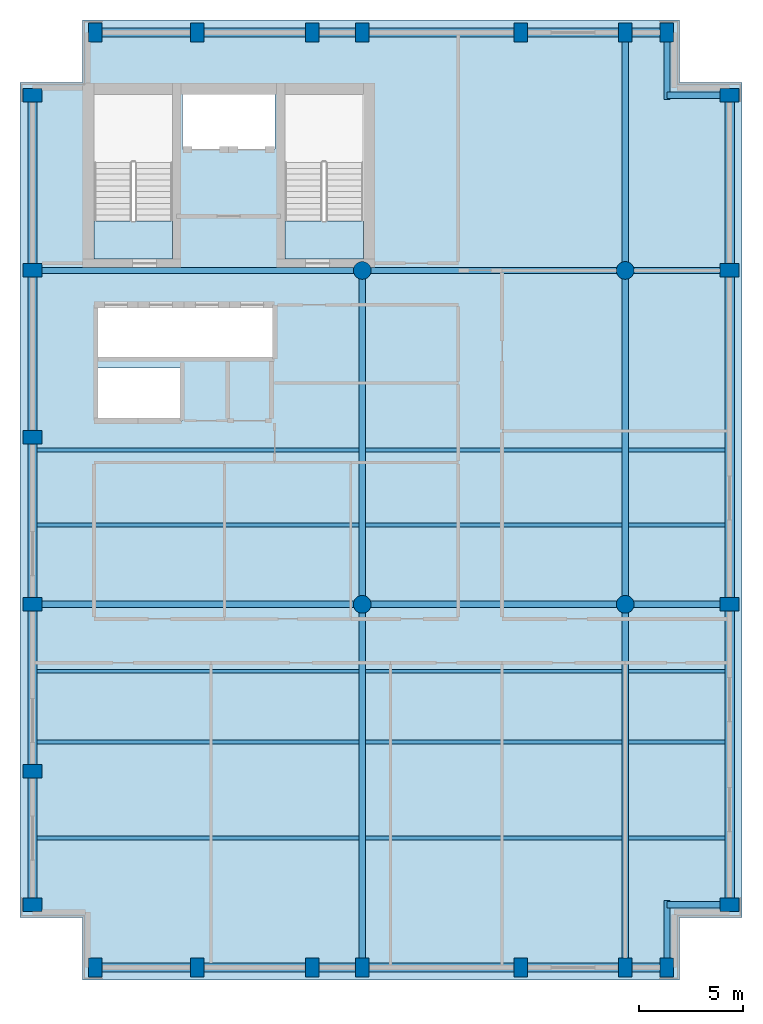
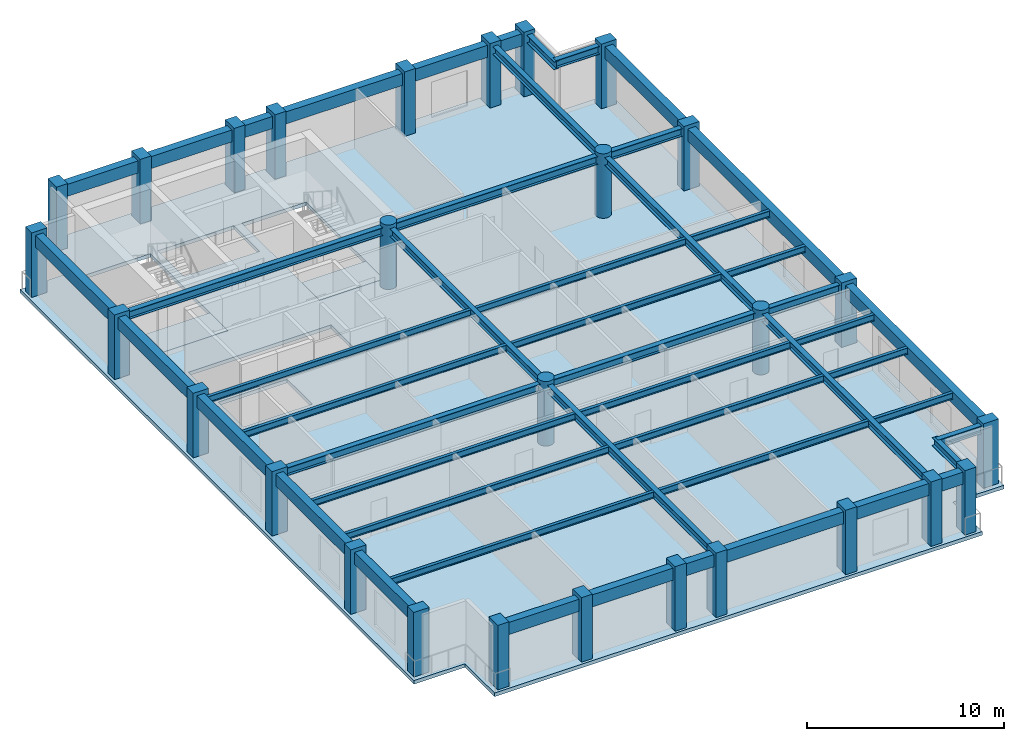
# One storey, part 1 of 6: 50 beams, 28 columns, 3 slabs.
"""IFC4 building model written with IfcOpenShell, lengths in metres."""

from ifc_helpers import new_model, si_unit, direction, frame, origin, origin_2d, place, context, subcontext, project, spatial, polyline, rectangle, circle, i_section, outline, extrude, material, layer, layer_set, material_profile, profile_set, type_object, element, save


model = new_model("IFC4")

# Units and contexts
model_context = context("Model", 3, precision=1e-05, world=origin(), true_north=direction((0.0, 1.0)))
body_context = subcontext(model_context, "Body", "Model", "MODEL_VIEW")
ifc_project = project(units=[si_unit("LENGTHUNIT", "METRE"), si_unit("AREAUNIT", "SQUARE_METRE"), si_unit("VOLUMEUNIT", "CUBIC_METRE"), si_unit("PLANEANGLEUNIT", "RADIAN"), si_unit("MASSUNIT", "GRAM", prefix="KILO")], contexts=[model_context])

# Site, building, storey
site_placement = place(None, origin())
site = spatial("IfcSite", under=ifc_project, at=site_placement, CompositionType="ELEMENT")
building_placement = place(site_placement, origin())
building = spatial("IfcBuilding", under=site, at=building_placement, Name="Sulina Concourse Tower", CompositionType="ELEMENT")
storey_placement = place(building_placement, frame((0.0, 0.0, 309.0)))
storey = spatial("IfcBuildingStorey", under=building, at=storey_placement, Name="L75", CompositionType="ELEMENT", Elevation=309.0)

# Columns
ifc_material_1 = material(Name="Precast concrete C50/60", Category="concrete")
ifc_material_profile_1 = material_profile(ifc_material_1, rectangle(XDim=0.64990234375, YDim=0.89990234375, at=origin_2d()), Name="PC 650x900")
ifc_profile_set_1 = profile_set([ifc_material_profile_1], Name="Precast concrete C50/60")
column_type_1 = type_object("IfcColumnType", Name="Precast Stepped Crown Pier 650x900", PredefinedType="COLUMN", material=ifc_profile_set_1)
for number, where, z_axis, x_axis, name in (
    (1, (3.60009765625, 0.60009765625, 0.0), (0.0, 0.0, 1.0), (1.0, 0.0, 0.0), "L75 structural column TP-S-36"),
    (2, (3.60009765625, 45.39990234375, 0.0), (0.0, 0.0, 1.0), (1.0, 0.0, 0.0), "L75 structural column TP-N-36"),
    (3, (8.5, 0.60009765625, 0.0), (0.0, 0.0, 1.0), (1.0, 0.0, 0.0), "L75 structural column TP-S-85"),
    (4, (8.5, 45.39990234375, 0.0), (0.0, 0.0, 1.0), (1.0, 0.0, 0.0), "L75 structural column TP-N-85"),
    (5, (14.0, 0.60009765625, 0.0), (0.0, 0.0, 1.0), (1.0, 0.0, 0.0), "L75 structural column TP-S-140"),
    (6, (14.0, 45.39990234375, 0.0), (0.0, 0.0, 1.0), (1.0, 0.0, 0.0), "L75 structural column TP-N-140"),
    (7, (16.39990234375, 0.60009765625, 0.0), (0.0, 0.0, 1.0), (1.0, 0.0, 0.0), "L75 structural column TP-S-164"),
    (8, (16.39990234375, 45.39990234375, 0.0), (0.0, 0.0, 1.0), (1.0, 0.0, 0.0), "L75 structural column TP-N-164"),
    (9, (24.0, 0.60009765625, 0.0), (0.0, 0.0, 1.0), (1.0, 0.0, 0.0), "L75 structural column TP-S-240"),
    (10, (24.0, 45.39990234375, 0.0), (0.0, 0.0, 1.0), (1.0, 0.0, 0.0), "L75 structural column TP-N-240"),
    (11, (29.0, 0.60009765625, 0.0), (0.0, 0.0, 1.0), (1.0, 0.0, 0.0), "L75 structural column TP-S-290"),
    (12, (29.0, 45.39990234375, 0.0), (0.0, 0.0, 1.0), (1.0, 0.0, 0.0), "L75 structural column TP-N-290"),
    (13, (31.0, 0.60009765625, 0.0), (0.0, 0.0, 1.0), (1.0, 0.0, 0.0), "L75 structural column TP-SC-310"),
    (14, (31.0, 45.39990234375, 0.0), (0.0, 0.0, 1.0), (1.0, 0.0, 0.0), "L75 structural column TP-NC-310"),
    (15, (0.60009765625, 3.60009765625, 0.0), (0.0, 0.0, 1.0), (0.0, 1.0, 0.0), "L75 structural column TP-W-36"),
    (16, (34.0, 3.60009765625, 0.0), (0.0, 0.0, 1.0), (0.0, 1.0, 0.0), "L75 structural column TP-E-36"),
    (17, (0.60009765625, 10.0, 0.0), (0.0, 0.0, 1.0), (0.0, 1.0, 0.0), "L75 structural column TP-W-100"),
    (18, (0.60009765625, 18.0, 0.0), (0.0, 0.0, 1.0), (0.0, 1.0, 0.0), "L75 structural column TP-W-180"),
    (19, (34.0, 18.0, 0.0), (0.0, 0.0, 1.0), (0.0, 1.0, 0.0), "L75 structural column TP-E-180"),
    (20, (0.60009765625, 26.0, 0.0), (0.0, 0.0, 1.0), (0.0, 1.0, 0.0), "L75 structural column TP-W-260"),
    (21, (0.60009765625, 34.0, 0.0), (0.0, 0.0, 1.0), (0.0, 1.0, 0.0), "L75 structural column TP-W-340"),
    (22, (34.0, 34.0, 0.0), (0.0, 0.0, 1.0), (0.0, 1.0, 0.0), "L75 structural column TP-E-340"),
    (23, (0.60009765625, 42.39990234375, 0.0), (0.0, 0.0, 1.0), (0.0, 1.0, 0.0), "L75 structural column TP-W-424"),
    (24, (34.0, 42.39990234375, 0.0), (0.0, 0.0, 1.0), (0.0, 1.0, 0.0), "L75 structural column TP-E-424"),
):
    element("IfcColumn", number, at=place(storey_placement, frame(where, z_axis=z_axis, x_axis=x_axis)), inside=storey, type_object=column_type_1, Name=name, PredefinedType="COLUMN", context=body_context, shape_type="SweptSolid", body=[
        extrude(rectangle(XDim=0.64990234375, YDim=0.89990234375, at=origin_2d()), origin(), (0.0, 0.0, 1.0), 4.0),
    ])
ifc_material_2 = material(Name="Concrete C50/60", Category="concrete")
ifc_material_profile_2 = material_profile(ifc_material_2, circle(Radius=0.425048828125, at=origin_2d()), Name="RC D850")
ifc_profile_set_2 = profile_set([ifc_material_profile_2], Name="Concrete C50/60")
column_type_2 = type_object("IfcColumnType", Name="Upper Interior Circular Column D850", PredefinedType="COLUMN", material=ifc_profile_set_2)
for number, where, z_axis, x_axis, name in (
    (25, (16.39990234375, 18.0, 0.0), (0.0, 0.0, 1.0), (1.0, 0.0, 0.0), "L75 structural column IC-M-164"),
    (26, (16.39990234375, 34.0, 0.0), (0.0, 0.0, 1.0), (1.0, 0.0, 0.0), "L75 structural column IC-N-164"),
    (27, (29.0, 18.0, 0.0), (0.0, 0.0, 1.0), (1.0, 0.0, 0.0), "L75 structural column IC-M-290"),
    (28, (29.0, 34.0, 0.0), (0.0, 0.0, 1.0), (1.0, 0.0, 0.0), "L75 structural column IC-N-290"),
):
    element("IfcColumn", number, at=place(storey_placement, frame(where, z_axis=z_axis, x_axis=x_axis)), inside=storey, type_object=column_type_2, Name=name, PredefinedType="COLUMN", context=body_context, shape_type="SweptSolid", body=[
        extrude(circle(Radius=0.425048828125, at=origin_2d()), origin(), (0.0, 0.0, 1.0), 4.0),
    ])

# Beams
ifc_material_3 = material(Name="Steel S355", Category="steel")
ifc_material_profile_3 = material_profile(ifc_material_3, i_section(OverallWidth=0.300048828125, OverallDepth=0.5, WebThickness=0.014404296875, FlangeThickness=0.028076171875, at=origin_2d()), Name="HE 500 B")
ifc_profile_set_3 = profile_set([ifc_material_profile_3], Name="Steel S355")
beam_type_1 = type_object("IfcBeamType", Name="Crown & Canopy Primary Girder HE500B", PredefinedType="BEAM", material=ifc_profile_set_3)
for number, where, z_axis, x_axis, name in (
    (29, (31.0, 3.60009765625, 3.52490234375), (1.0, 0.0, 0.0), (0.0, 1.0, 0.0), "TIE-SE-L75"),
    (30, (31.0, 42.39990234375, 3.52490234375), (1.0, 0.0, 0.0), (0.0, 1.0, 0.0), "TIE-NE-L75"),
):
    element("IfcBeam", number, at=place(storey_placement, frame(where, z_axis=z_axis, x_axis=x_axis)), inside=storey, type_object=beam_type_1, Name=name, PredefinedType="BEAM", context=body_context, shape_type="SweptSolid", body=[
        extrude(i_section(OverallWidth=0.300048828125, OverallDepth=0.5, WebThickness=0.014404296875, FlangeThickness=0.028076171875, at=origin_2d()), origin(), (0.0, 0.0, 1.0), 2.695068359375),
    ])
for number, where, z_axis, x_axis, name in (
    (31, (31.0, 0.905029296875, 3.52490234375), (0.0, 1.0, 0.0), (-1.0, 0.0, 0.0), "TIE-SES-L75"),
    (32, (31.0, 42.199951171875, 3.52490234375), (0.0, 1.0, 0.0), (-1.0, 0.0, 0.0), "TIE-NEN-L75"),
):
    element("IfcBeam", number, at=place(storey_placement, frame(where, z_axis=z_axis, x_axis=x_axis)), inside=storey, type_object=beam_type_1, Name=name, PredefinedType="BEAM", context=body_context, shape_type="SweptSolid", body=[
        extrude(i_section(OverallWidth=0.300048828125, OverallDepth=0.5, WebThickness=0.014404296875, FlangeThickness=0.028076171875, at=origin_2d()), origin(), (0.0, 0.0, 1.0), 2.89501953125),
    ])
beam_1_placement = place(storey_placement, frame((0.905029296875, 18.0, 3.52490234375), z_axis=(1.0, 0.0, 0.0), x_axis=(0.0, 1.0, 0.0)))
element("IfcBeam", 33, at=beam_1_placement, inside=storey, type_object=beam_type_1, Name="FG-EW1-L75", PredefinedType="BEAM", context=body_context, shape_type="SweptSolid", body=[
    extrude(i_section(OverallWidth=0.300048828125, OverallDepth=0.5, WebThickness=0.014404296875, FlangeThickness=0.028076171875, at=origin_2d()), origin(), (0.0, 0.0, 1.0), 15.090087890625),
])
beam_2_placement = place(storey_placement, frame((16.804931640625, 18.0, 3.52490234375), z_axis=(1.0, 0.0, 0.0), x_axis=(0.0, 1.0, 0.0)))
element("IfcBeam", 34, at=beam_2_placement, inside=storey, type_object=beam_type_1, Name="FG-EW2-L75", PredefinedType="BEAM", context=body_context, shape_type="SweptSolid", body=[
    extrude(i_section(OverallWidth=0.300048828125, OverallDepth=0.5, WebThickness=0.014404296875, FlangeThickness=0.028076171875, at=origin_2d()), origin(), (0.0, 0.0, 1.0), 11.7900390625),
])
beam_3_placement = place(storey_placement, frame((29.405029296875, 18.0, 3.52490234375), z_axis=(1.0, 0.0, 0.0), x_axis=(0.0, 1.0, 0.0)))
element("IfcBeam", 35, at=beam_3_placement, inside=storey, type_object=beam_type_1, Name="FG-EW3-L75", PredefinedType="BEAM", context=body_context, shape_type="SweptSolid", body=[
    extrude(i_section(OverallWidth=0.300048828125, OverallDepth=0.5, WebThickness=0.014404296875, FlangeThickness=0.028076171875, at=origin_2d()), origin(), (0.0, 0.0, 1.0), 4.2900390625),
])
beam_4_placement = place(storey_placement, frame((0.905029296875, 34.0, 3.52490234375), z_axis=(1.0, 0.0, 0.0), x_axis=(0.0, 1.0, 0.0)))
element("IfcBeam", 36, at=beam_4_placement, inside=storey, type_object=beam_type_1, Name="FG-EWN1-L75", PredefinedType="BEAM", context=body_context, shape_type="SweptSolid", body=[
    extrude(i_section(OverallWidth=0.300048828125, OverallDepth=0.5, WebThickness=0.014404296875, FlangeThickness=0.028076171875, at=origin_2d()), origin(), (0.0, 0.0, 1.0), 15.090087890625),
])
beam_5_placement = place(storey_placement, frame((16.804931640625, 34.0, 3.52490234375), z_axis=(1.0, 0.0, 0.0), x_axis=(0.0, 1.0, 0.0)))
element("IfcBeam", 37, at=beam_5_placement, inside=storey, type_object=beam_type_1, Name="FG-EWN2-L75", PredefinedType="BEAM", context=body_context, shape_type="SweptSolid", body=[
    extrude(i_section(OverallWidth=0.300048828125, OverallDepth=0.5, WebThickness=0.014404296875, FlangeThickness=0.028076171875, at=origin_2d()), origin(), (0.0, 0.0, 1.0), 11.7900390625),
])
beam_6_placement = place(storey_placement, frame((29.405029296875, 34.0, 3.52490234375), z_axis=(1.0, 0.0, 0.0), x_axis=(0.0, 1.0, 0.0)))
element("IfcBeam", 38, at=beam_6_placement, inside=storey, type_object=beam_type_1, Name="FG-EWN3-L75", PredefinedType="BEAM", context=body_context, shape_type="SweptSolid", body=[
    extrude(i_section(OverallWidth=0.300048828125, OverallDepth=0.5, WebThickness=0.014404296875, FlangeThickness=0.028076171875, at=origin_2d()), origin(), (0.0, 0.0, 1.0), 4.2900390625),
])
beam_7_placement = place(storey_placement, frame((16.39990234375, 0.905029296875, 3.52490234375), z_axis=(0.0, 1.0, 0.0), x_axis=(-1.0, 0.0, 0.0)))
element("IfcBeam", 39, at=beam_7_placement, inside=storey, type_object=beam_type_1, Name="FG-NSA-16-L75", PredefinedType="BEAM", context=body_context, shape_type="SweptSolid", body=[
    extrude(i_section(OverallWidth=0.300048828125, OverallDepth=0.5, WebThickness=0.014404296875, FlangeThickness=0.028076171875, at=origin_2d()), origin(), (0.0, 0.0, 1.0), 16.68994140625),
])
beam_8_placement = place(storey_placement, frame((16.39990234375, 18.405029296875, 3.52490234375), z_axis=(0.0, 1.0, 0.0), x_axis=(-1.0, 0.0, 0.0)))
element("IfcBeam", 40, at=beam_8_placement, inside=storey, type_object=beam_type_1, Name="FG-NSB-16-L75", PredefinedType="BEAM", context=body_context, shape_type="SweptSolid", body=[
    extrude(i_section(OverallWidth=0.300048828125, OverallDepth=0.5, WebThickness=0.014404296875, FlangeThickness=0.028076171875, at=origin_2d()), origin(), (0.0, 0.0, 1.0), 15.18994140625),
])
beam_9_placement = place(storey_placement, frame((29.0, 0.905029296875, 3.52490234375), z_axis=(0.0, 1.0, 0.0), x_axis=(-1.0, 0.0, 0.0)))
element("IfcBeam", 41, at=beam_9_placement, inside=storey, type_object=beam_type_1, Name="FG-NSA-29-L75", PredefinedType="BEAM", context=body_context, shape_type="SweptSolid", body=[
    extrude(i_section(OverallWidth=0.300048828125, OverallDepth=0.5, WebThickness=0.014404296875, FlangeThickness=0.028076171875, at=origin_2d()), origin(), (0.0, 0.0, 1.0), 16.68994140625),
])
beam_10_placement = place(storey_placement, frame((29.0, 18.405029296875, 3.52490234375), z_axis=(0.0, 1.0, 0.0), x_axis=(-1.0, 0.0, 0.0)))
element("IfcBeam", 42, at=beam_10_placement, inside=storey, type_object=beam_type_1, Name="FG-NSB-29-L75", PredefinedType="BEAM", context=body_context, shape_type="SweptSolid", body=[
    extrude(i_section(OverallWidth=0.300048828125, OverallDepth=0.5, WebThickness=0.014404296875, FlangeThickness=0.028076171875, at=origin_2d()), origin(), (0.0, 0.0, 1.0), 15.18994140625),
])
beam_11_placement = place(storey_placement, frame((29.0, 34.405029296875, 3.52490234375), z_axis=(0.0, 1.0, 0.0), x_axis=(-1.0, 0.0, 0.0)))
element("IfcBeam", 43, at=beam_11_placement, inside=storey, type_object=beam_type_1, Name="FG-NSC-29-L75", PredefinedType="BEAM", context=body_context, shape_type="SweptSolid", body=[
    extrude(i_section(OverallWidth=0.300048828125, OverallDepth=0.5, WebThickness=0.014404296875, FlangeThickness=0.028076171875, at=origin_2d()), origin(), (0.0, 0.0, 1.0), 10.68994140625),
])
ifc_material_4 = material(Name="Steel S355", Category="steel")
ifc_material_profile_4 = material_profile(ifc_material_4, i_section(OverallWidth=0.179931640625, OverallDepth=0.39990234375, WebThickness=0.008544921875, FlangeThickness=0.013427734375, at=origin_2d()), Name="IPE 400")
ifc_profile_set_4 = profile_set([ifc_material_profile_4], Name="Steel S355")
beam_type_2 = type_object("IfcBeamType", Name="Crown & Terrace Joist IPE400", PredefinedType="JOIST", material=ifc_profile_set_4)
beam_12_placement = place(storey_placement, frame((0.824951171875, 6.800048828125, 3.574951171875), z_axis=(1.0, 0.0, 0.0), x_axis=(0.0, 1.0, 0.0)))
element("IfcBeam", 44, at=beam_12_placement, inside=storey, type_object=beam_type_2, Name="FJ-J06-1-L75", PredefinedType="JOIST", context=body_context, shape_type="SweptSolid", body=[
    extrude(i_section(OverallWidth=0.179931640625, OverallDepth=0.39990234375, WebThickness=0.008544921875, FlangeThickness=0.013427734375, at=origin_2d()), origin(), (0.0, 0.0, 1.0), 15.425048828125),
])
beam_13_placement = place(storey_placement, frame((16.550048828125, 6.800048828125, 3.574951171875), z_axis=(1.0, 0.0, 0.0), x_axis=(0.0, 1.0, 0.0)))
element("IfcBeam", 45, at=beam_13_placement, inside=storey, type_object=beam_type_2, Name="FJ-J06-2-L75", PredefinedType="JOIST", context=body_context, shape_type="SweptSolid", body=[
    extrude(i_section(OverallWidth=0.179931640625, OverallDepth=0.39990234375, WebThickness=0.008544921875, FlangeThickness=0.013427734375, at=origin_2d()), origin(), (0.0, 0.0, 1.0), 12.300048828125),
])
beam_14_placement = place(storey_placement, frame((29.14990234375, 6.800048828125, 3.574951171875), z_axis=(1.0, 0.0, 0.0), x_axis=(0.0, 1.0, 0.0)))
element("IfcBeam", 46, at=beam_14_placement, inside=storey, type_object=beam_type_2, Name="FJ-J06-3-L75", PredefinedType="JOIST", context=body_context, shape_type="SweptSolid", body=[
    extrude(i_section(OverallWidth=0.179931640625, OverallDepth=0.39990234375, WebThickness=0.008544921875, FlangeThickness=0.013427734375, at=origin_2d()), origin(), (0.0, 0.0, 1.0), 4.625),
])
beam_15_placement = place(storey_placement, frame((0.824951171875, 11.39990234375, 3.574951171875), z_axis=(1.0, 0.0, 0.0), x_axis=(0.0, 1.0, 0.0)))
element("IfcBeam", 47, at=beam_15_placement, inside=storey, type_object=beam_type_2, Name="FJ-J11-1-L75", PredefinedType="JOIST", context=body_context, shape_type="SweptSolid", body=[
    extrude(i_section(OverallWidth=0.179931640625, OverallDepth=0.39990234375, WebThickness=0.008544921875, FlangeThickness=0.013427734375, at=origin_2d()), origin(), (0.0, 0.0, 1.0), 15.425048828125),
])
beam_16_placement = place(storey_placement, frame((16.550048828125, 11.39990234375, 3.574951171875), z_axis=(1.0, 0.0, 0.0), x_axis=(0.0, 1.0, 0.0)))
element("IfcBeam", 48, at=beam_16_placement, inside=storey, type_object=beam_type_2, Name="FJ-J11-2-L75", PredefinedType="JOIST", context=body_context, shape_type="SweptSolid", body=[
    extrude(i_section(OverallWidth=0.179931640625, OverallDepth=0.39990234375, WebThickness=0.008544921875, FlangeThickness=0.013427734375, at=origin_2d()), origin(), (0.0, 0.0, 1.0), 12.300048828125),
])
beam_17_placement = place(storey_placement, frame((29.14990234375, 11.39990234375, 3.574951171875), z_axis=(1.0, 0.0, 0.0), x_axis=(0.0, 1.0, 0.0)))
element("IfcBeam", 49, at=beam_17_placement, inside=storey, type_object=beam_type_2, Name="FJ-J11-3-L75", PredefinedType="JOIST", context=body_context, shape_type="SweptSolid", body=[
    extrude(i_section(OverallWidth=0.179931640625, OverallDepth=0.39990234375, WebThickness=0.008544921875, FlangeThickness=0.013427734375, at=origin_2d()), origin(), (0.0, 0.0, 1.0), 4.625),
])
beam_18_placement = place(storey_placement, frame((0.824951171875, 14.800048828125, 3.574951171875), z_axis=(1.0, 0.0, 0.0), x_axis=(0.0, 1.0, 0.0)))
element("IfcBeam", 50, at=beam_18_placement, inside=storey, type_object=beam_type_2, Name="FJ-J15-1-L75", PredefinedType="JOIST", context=body_context, shape_type="SweptSolid", body=[
    extrude(i_section(OverallWidth=0.179931640625, OverallDepth=0.39990234375, WebThickness=0.008544921875, FlangeThickness=0.013427734375, at=origin_2d()), origin(), (0.0, 0.0, 1.0), 15.425048828125),
])
beam_19_placement = place(storey_placement, frame((16.550048828125, 14.800048828125, 3.574951171875), z_axis=(1.0, 0.0, 0.0), x_axis=(0.0, 1.0, 0.0)))
element("IfcBeam", 51, at=beam_19_placement, inside=storey, type_object=beam_type_2, Name="FJ-J15-2-L75", PredefinedType="JOIST", context=body_context, shape_type="SweptSolid", body=[
    extrude(i_section(OverallWidth=0.179931640625, OverallDepth=0.39990234375, WebThickness=0.008544921875, FlangeThickness=0.013427734375, at=origin_2d()), origin(), (0.0, 0.0, 1.0), 12.300048828125),
])
beam_20_placement = place(storey_placement, frame((29.14990234375, 14.800048828125, 3.574951171875), z_axis=(1.0, 0.0, 0.0), x_axis=(0.0, 1.0, 0.0)))
element("IfcBeam", 52, at=beam_20_placement, inside=storey, type_object=beam_type_2, Name="FJ-J15-3-L75", PredefinedType="JOIST", context=body_context, shape_type="SweptSolid", body=[
    extrude(i_section(OverallWidth=0.179931640625, OverallDepth=0.39990234375, WebThickness=0.008544921875, FlangeThickness=0.013427734375, at=origin_2d()), origin(), (0.0, 0.0, 1.0), 4.625),
])
beam_21_placement = place(storey_placement, frame((0.824951171875, 21.800048828125, 3.574951171875), z_axis=(1.0, 0.0, 0.0), x_axis=(0.0, 1.0, 0.0)))
element("IfcBeam", 53, at=beam_21_placement, inside=storey, type_object=beam_type_2, Name="FJ-J22-1-L75", PredefinedType="JOIST", context=body_context, shape_type="SweptSolid", body=[
    extrude(i_section(OverallWidth=0.179931640625, OverallDepth=0.39990234375, WebThickness=0.008544921875, FlangeThickness=0.013427734375, at=origin_2d()), origin(), (0.0, 0.0, 1.0), 15.425048828125),
])
beam_22_placement = place(storey_placement, frame((16.550048828125, 21.800048828125, 3.574951171875), z_axis=(1.0, 0.0, 0.0), x_axis=(0.0, 1.0, 0.0)))
element("IfcBeam", 54, at=beam_22_placement, inside=storey, type_object=beam_type_2, Name="FJ-J22-2-L75", PredefinedType="JOIST", context=body_context, shape_type="SweptSolid", body=[
    extrude(i_section(OverallWidth=0.179931640625, OverallDepth=0.39990234375, WebThickness=0.008544921875, FlangeThickness=0.013427734375, at=origin_2d()), origin(), (0.0, 0.0, 1.0), 12.300048828125),
])
beam_23_placement = place(storey_placement, frame((29.14990234375, 21.800048828125, 3.574951171875), z_axis=(1.0, 0.0, 0.0), x_axis=(0.0, 1.0, 0.0)))
element("IfcBeam", 55, at=beam_23_placement, inside=storey, type_object=beam_type_2, Name="FJ-J22-3-L75", PredefinedType="JOIST", context=body_context, shape_type="SweptSolid", body=[
    extrude(i_section(OverallWidth=0.179931640625, OverallDepth=0.39990234375, WebThickness=0.008544921875, FlangeThickness=0.013427734375, at=origin_2d()), origin(), (0.0, 0.0, 1.0), 4.625),
])
beam_24_placement = place(storey_placement, frame((0.824951171875, 25.39990234375, 3.574951171875), z_axis=(1.0, 0.0, 0.0), x_axis=(0.0, 1.0, 0.0)))
element("IfcBeam", 56, at=beam_24_placement, inside=storey, type_object=beam_type_2, Name="FJ-J25-1-L75", PredefinedType="JOIST", context=body_context, shape_type="SweptSolid", body=[
    extrude(i_section(OverallWidth=0.179931640625, OverallDepth=0.39990234375, WebThickness=0.008544921875, FlangeThickness=0.013427734375, at=origin_2d()), origin(), (0.0, 0.0, 1.0), 15.425048828125),
])
beam_25_placement = place(storey_placement, frame((16.550048828125, 25.39990234375, 3.574951171875), z_axis=(1.0, 0.0, 0.0), x_axis=(0.0, 1.0, 0.0)))
element("IfcBeam", 57, at=beam_25_placement, inside=storey, type_object=beam_type_2, Name="FJ-J25-2-L75", PredefinedType="JOIST", context=body_context, shape_type="SweptSolid", body=[
    extrude(i_section(OverallWidth=0.179931640625, OverallDepth=0.39990234375, WebThickness=0.008544921875, FlangeThickness=0.013427734375, at=origin_2d()), origin(), (0.0, 0.0, 1.0), 12.300048828125),
])
beam_26_placement = place(storey_placement, frame((29.14990234375, 25.39990234375, 3.574951171875), z_axis=(1.0, 0.0, 0.0), x_axis=(0.0, 1.0, 0.0)))
element("IfcBeam", 58, at=beam_26_placement, inside=storey, type_object=beam_type_2, Name="FJ-J25-3-L75", PredefinedType="JOIST", context=body_context, shape_type="SweptSolid", body=[
    extrude(i_section(OverallWidth=0.179931640625, OverallDepth=0.39990234375, WebThickness=0.008544921875, FlangeThickness=0.013427734375, at=origin_2d()), origin(), (0.0, 0.0, 1.0), 4.625),
])
ifc_material_5 = material(Name="Precast concrete C50/60", Category="concrete")
ifc_material_profile_5 = material_profile(ifc_material_5, rectangle(XDim=0.449951171875, YDim=0.75, at=origin_2d()), Name="RC 450x750")
ifc_profile_set_5 = profile_set([ifc_material_profile_5], Name="Precast concrete C50/60")
beam_type_3 = type_object("IfcBeamType", Name="Upper Precast Spandrel Edge Beam 450x750", PredefinedType="BEAM", material=ifc_profile_set_5)
beam_27_placement = place(storey_placement, frame((3.905029296875, 0.60009765625, 3.39990234375), z_axis=(1.0, 0.0, 0.0), x_axis=(0.0, 1.0, 0.0)))
element("IfcBeam", 59, at=beam_27_placement, inside=storey, type_object=beam_type_3, Name="SP-S1-L75", PredefinedType="BEAM", context=body_context, shape_type="SweptSolid", body=[
    extrude(rectangle(XDim=0.449951171875, YDim=0.75, at=origin_2d()), origin(), (0.0, 0.0, 1.0), 4.2900390625),
])
beam_28_placement = place(storey_placement, frame((8.804931640625, 0.60009765625, 3.39990234375), z_axis=(1.0, 0.0, 0.0), x_axis=(0.0, 1.0, 0.0)))
element("IfcBeam", 60, at=beam_28_placement, inside=storey, type_object=beam_type_3, Name="SP-S2-L75", PredefinedType="BEAM", context=body_context, shape_type="SweptSolid", body=[
    extrude(rectangle(XDim=0.449951171875, YDim=0.75, at=origin_2d()), origin(), (0.0, 0.0, 1.0), 4.89013671875),
])
beam_29_placement = place(storey_placement, frame((14.304931640625, 0.60009765625, 3.39990234375), z_axis=(1.0, 0.0, 0.0), x_axis=(0.0, 1.0, 0.0)))
element("IfcBeam", 61, at=beam_29_placement, inside=storey, type_object=beam_type_3, Name="SP-S3-L75", PredefinedType="BEAM", context=body_context, shape_type="SweptSolid", body=[
    extrude(rectangle(XDim=0.449951171875, YDim=0.75, at=origin_2d()), origin(), (0.0, 0.0, 1.0), 1.7900390625),
])
beam_30_placement = place(storey_placement, frame((16.705078125, 0.60009765625, 3.39990234375), z_axis=(1.0, 0.0, 0.0), x_axis=(0.0, 1.0, 0.0)))
element("IfcBeam", 62, at=beam_30_placement, inside=storey, type_object=beam_type_3, Name="SP-S4-L75", PredefinedType="BEAM", context=body_context, shape_type="SweptSolid", body=[
    extrude(rectangle(XDim=0.449951171875, YDim=0.75, at=origin_2d()), origin(), (0.0, 0.0, 1.0), 6.989990234375),
])
beam_31_placement = place(storey_placement, frame((24.304931640625, 0.60009765625, 3.39990234375), z_axis=(1.0, 0.0, 0.0), x_axis=(0.0, 1.0, 0.0)))
element("IfcBeam", 63, at=beam_31_placement, inside=storey, type_object=beam_type_3, Name="SP-S5-L75", PredefinedType="BEAM", context=body_context, shape_type="SweptSolid", body=[
    extrude(rectangle(XDim=0.449951171875, YDim=0.75, at=origin_2d()), origin(), (0.0, 0.0, 1.0), 4.39013671875),
])
beam_32_placement = place(storey_placement, frame((29.304931640625, 0.60009765625, 3.39990234375), z_axis=(1.0, 0.0, 0.0), x_axis=(0.0, 1.0, 0.0)))
element("IfcBeam", 64, at=beam_32_placement, inside=storey, type_object=beam_type_3, Name="SP-S6-L75", PredefinedType="BEAM", context=body_context, shape_type="SweptSolid", body=[
    extrude(rectangle(XDim=0.449951171875, YDim=0.75, at=origin_2d()), origin(), (0.0, 0.0, 1.0), 1.39013671875),
])
beam_33_placement = place(storey_placement, frame((3.905029296875, 45.39990234375, 3.39990234375), z_axis=(1.0, 0.0, 0.0), x_axis=(0.0, 1.0, 0.0)))
element("IfcBeam", 65, at=beam_33_placement, inside=storey, type_object=beam_type_3, Name="SP-N1-L75", PredefinedType="BEAM", context=body_context, shape_type="SweptSolid", body=[
    extrude(rectangle(XDim=0.449951171875, YDim=0.75, at=origin_2d()), origin(), (0.0, 0.0, 1.0), 4.2900390625),
])
beam_34_placement = place(storey_placement, frame((8.804931640625, 45.39990234375, 3.39990234375), z_axis=(1.0, 0.0, 0.0), x_axis=(0.0, 1.0, 0.0)))
element("IfcBeam", 66, at=beam_34_placement, inside=storey, type_object=beam_type_3, Name="SP-N2-L75", PredefinedType="BEAM", context=body_context, shape_type="SweptSolid", body=[
    extrude(rectangle(XDim=0.449951171875, YDim=0.75, at=origin_2d()), origin(), (0.0, 0.0, 1.0), 4.89013671875),
])
beam_35_placement = place(storey_placement, frame((14.304931640625, 45.39990234375, 3.39990234375), z_axis=(1.0, 0.0, 0.0), x_axis=(0.0, 1.0, 0.0)))
element("IfcBeam", 67, at=beam_35_placement, inside=storey, type_object=beam_type_3, Name="SP-N3-L75", PredefinedType="BEAM", context=body_context, shape_type="SweptSolid", body=[
    extrude(rectangle(XDim=0.449951171875, YDim=0.75, at=origin_2d()), origin(), (0.0, 0.0, 1.0), 1.7900390625),
])
beam_36_placement = place(storey_placement, frame((16.705078125, 45.39990234375, 3.39990234375), z_axis=(1.0, 0.0, 0.0), x_axis=(0.0, 1.0, 0.0)))
element("IfcBeam", 68, at=beam_36_placement, inside=storey, type_object=beam_type_3, Name="SP-N4-L75", PredefinedType="BEAM", context=body_context, shape_type="SweptSolid", body=[
    extrude(rectangle(XDim=0.449951171875, YDim=0.75, at=origin_2d()), origin(), (0.0, 0.0, 1.0), 6.989990234375),
])
beam_37_placement = place(storey_placement, frame((24.304931640625, 45.39990234375, 3.39990234375), z_axis=(1.0, 0.0, 0.0), x_axis=(0.0, 1.0, 0.0)))
element("IfcBeam", 69, at=beam_37_placement, inside=storey, type_object=beam_type_3, Name="SP-N5-L75", PredefinedType="BEAM", context=body_context, shape_type="SweptSolid", body=[
    extrude(rectangle(XDim=0.449951171875, YDim=0.75, at=origin_2d()), origin(), (0.0, 0.0, 1.0), 4.39013671875),
])
beam_38_placement = place(storey_placement, frame((29.304931640625, 45.39990234375, 3.39990234375), z_axis=(1.0, 0.0, 0.0), x_axis=(0.0, 1.0, 0.0)))
element("IfcBeam", 70, at=beam_38_placement, inside=storey, type_object=beam_type_3, Name="SP-N6-L75", PredefinedType="BEAM", context=body_context, shape_type="SweptSolid", body=[
    extrude(rectangle(XDim=0.449951171875, YDim=0.75, at=origin_2d()), origin(), (0.0, 0.0, 1.0), 1.39013671875),
])
beam_39_placement = place(storey_placement, frame((0.60009765625, 3.905029296875, 3.39990234375), z_axis=(0.0, 1.0, 0.0), x_axis=(-1.0, 0.0, 0.0)))
element("IfcBeam", 71, at=beam_39_placement, inside=storey, type_object=beam_type_3, Name="SP-W1-L75", PredefinedType="BEAM", context=body_context, shape_type="SweptSolid", body=[
    extrude(rectangle(XDim=0.449951171875, YDim=0.75, at=origin_2d()), origin(), (0.0, 0.0, 1.0), 5.7900390625),
])
for number, where, z_axis, x_axis, name in (
    (72, (0.60009765625, 10.304931640625, 3.39990234375), (0.0, 1.0, 0.0), (-1.0, 0.0, 0.0), "SP-W2-L75"),
    (73, (0.60009765625, 18.304931640625, 3.39990234375), (0.0, 1.0, 0.0), (-1.0, 0.0, 0.0), "SP-W3-L75"),
    (74, (0.60009765625, 26.304931640625, 3.39990234375), (0.0, 1.0, 0.0), (-1.0, 0.0, 0.0), "SP-W4-L75"),
):
    element("IfcBeam", number, at=place(storey_placement, frame(where, z_axis=z_axis, x_axis=x_axis)), inside=storey, type_object=beam_type_3, Name=name, PredefinedType="BEAM", context=body_context, shape_type="SweptSolid", body=[
        extrude(rectangle(XDim=0.449951171875, YDim=0.75, at=origin_2d()), origin(), (0.0, 0.0, 1.0), 7.39013671875),
    ])
beam_40_placement = place(storey_placement, frame((0.60009765625, 34.304931640625, 3.39990234375), z_axis=(0.0, 1.0, 0.0), x_axis=(-1.0, 0.0, 0.0)))
element("IfcBeam", 75, at=beam_40_placement, inside=storey, type_object=beam_type_3, Name="SP-W5-L75", PredefinedType="BEAM", context=body_context, shape_type="SweptSolid", body=[
    extrude(rectangle(XDim=0.449951171875, YDim=0.75, at=origin_2d()), origin(), (0.0, 0.0, 1.0), 7.7900390625),
])
beam_41_placement = place(storey_placement, frame((34.0, 3.905029296875, 3.39990234375), z_axis=(0.0, 1.0, 0.0), x_axis=(-1.0, 0.0, 0.0)))
element("IfcBeam", 76, at=beam_41_placement, inside=storey, type_object=beam_type_3, Name="SP-E1-L75", PredefinedType="BEAM", context=body_context, shape_type="SweptSolid", body=[
    extrude(rectangle(XDim=0.449951171875, YDim=0.75, at=origin_2d()), origin(), (0.0, 0.0, 1.0), 13.7900390625),
])
beam_42_placement = place(storey_placement, frame((34.0, 18.304931640625, 3.39990234375), z_axis=(0.0, 1.0, 0.0), x_axis=(-1.0, 0.0, 0.0)))
element("IfcBeam", 77, at=beam_42_placement, inside=storey, type_object=beam_type_3, Name="SP-E2-L75", PredefinedType="BEAM", context=body_context, shape_type="SweptSolid", body=[
    extrude(rectangle(XDim=0.449951171875, YDim=0.75, at=origin_2d()), origin(), (0.0, 0.0, 1.0), 15.39013671875),
])
beam_43_placement = place(storey_placement, frame((34.0, 34.304931640625, 3.39990234375), z_axis=(0.0, 1.0, 0.0), x_axis=(-1.0, 0.0, 0.0)))
element("IfcBeam", 78, at=beam_43_placement, inside=storey, type_object=beam_type_3, Name="SP-E3-L75", PredefinedType="BEAM", context=body_context, shape_type="SweptSolid", body=[
    extrude(rectangle(XDim=0.449951171875, YDim=0.75, at=origin_2d()), origin(), (0.0, 0.0, 1.0), 7.7900390625),
])

# Slabs
ifc_material_6 = material(Name="Concrete C50/60", Category="concrete")
ifc_layer_1 = layer(ifc_material_6, 0.22509765625)
ifc_layer_set_1 = layer_set([ifc_layer_1], Name="Concrete C50/60")
slab_type_1 = type_object("IfcSlabType", Name="Crown & Observation Floor Slab 225mm", PredefinedType="FLOOR", material=ifc_layer_set_1)
slab_1_placement = place(storey_placement, frame((0.0, 0.0, -0.22509765625)))
element("IfcSlab", 79, at=slab_1_placement, inside=storey, type_object=slab_type_1, Name="L75 structural floor slab", PredefinedType="FLOOR", context=body_context, shape_type="SweptSolid", body=[
    extrude(outline(polyline([(3.0, 0.0), (31.60009765625, 0.0), (31.60009765625, 3.0), (34.60009765625, 3.0), (34.60009765625, 43.0), (31.60009765625, 43.0), (31.60009765625, 46.0), (3.0, 46.0), (3.0, 43.0), (0.0, 43.0), (0.0, 3.0), (3.0, 3.0), (3.0, 0.0)]), holes=[polyline([(7.31005859375, 34.550048828125), (7.31005859375, 42.429931640625), (3.550048828125, 42.429931640625), (3.550048828125, 34.550048828125), (7.31005859375, 34.550048828125)]), polyline([(16.449951171875, 34.550048828125), (16.449951171875, 42.429931640625), (12.68994140625, 42.429931640625), (12.68994140625, 34.550048828125), (16.449951171875, 34.550048828125)]), polyline([(7.780029296875, 39.830078125), (12.219970703125, 39.830078125), (12.219970703125, 42.449951171875), (7.780029296875, 42.449951171875), (7.780029296875, 39.830078125)]), polyline([(3.739990234375, 26.780029296875), (7.77001953125, 26.780029296875), (7.77001953125, 29.320068359375), (3.739990234375, 29.320068359375), (3.739990234375, 26.780029296875)]), polyline([(3.739990234375, 29.780029296875), (12.10009765625, 29.780029296875), (12.10009765625, 32.3701171875), (3.739990234375, 32.3701171875), (3.739990234375, 29.780029296875)])]), origin(), (0.0, 0.0, 1.0), 0.22509765625),
])
ifc_material_7 = material(Name="Concrete C50/60", Category="concrete")
ifc_layer_2 = layer(ifc_material_7, 0.199951171875)
ifc_layer_set_2 = layer_set([ifc_layer_2], Name="Concrete C50/60")
slab_type_2 = type_object("IfcSlabType", Name="Primary Core Stair Landing Slab 200mm", PredefinedType="LANDING", material=ifc_layer_set_2)
slab_2_placement = place(storey_placement, frame((0.0, 0.0, -0.199951171875)))
element("IfcSlab", 80, at=slab_2_placement, inside=storey, type_object=slab_type_2, Name="L75 ST-1 floor landing slab", PredefinedType="LANDING", context=body_context, shape_type="SweptSolid", body=[
    extrude(outline(polyline([(7.31005859375, 34.550048828125), (7.31005859375, 36.375), (3.550048828125, 36.375), (3.550048828125, 34.550048828125), (7.31005859375, 34.550048828125)])), origin(), (0.0, 0.0, 1.0), 0.199951171875),
])
slab_3_placement = place(storey_placement, frame((0.0, 0.0, -0.199951171875)))
element("IfcSlab", 81, at=slab_3_placement, inside=storey, type_object=slab_type_2, Name="L75 ST-2 floor landing slab", PredefinedType="LANDING", context=body_context, shape_type="SweptSolid", body=[
    extrude(outline(polyline([(16.449951171875, 34.550048828125), (16.449951171875, 36.375), (12.68994140625, 36.375), (12.68994140625, 34.550048828125), (16.449951171875, 34.550048828125)])), origin(), (0.0, 0.0, 1.0), 0.199951171875),
])

save(model, "model.ifc")
